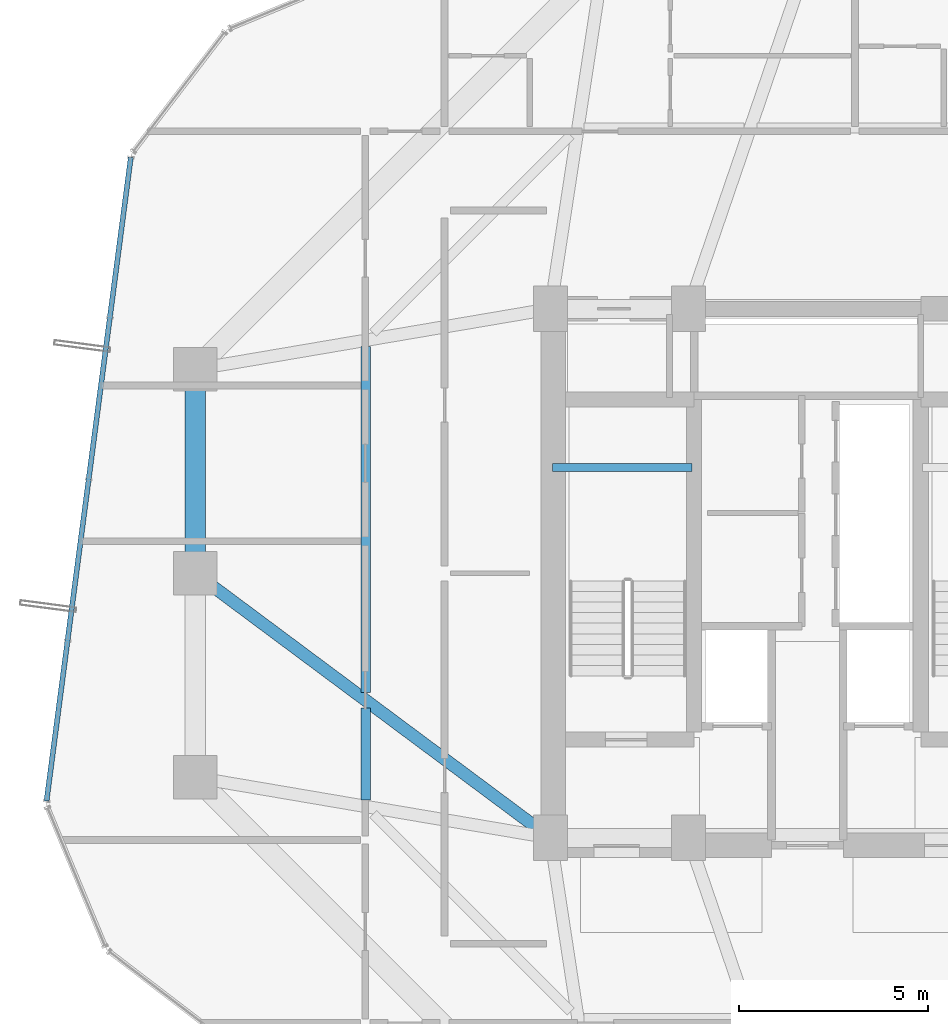
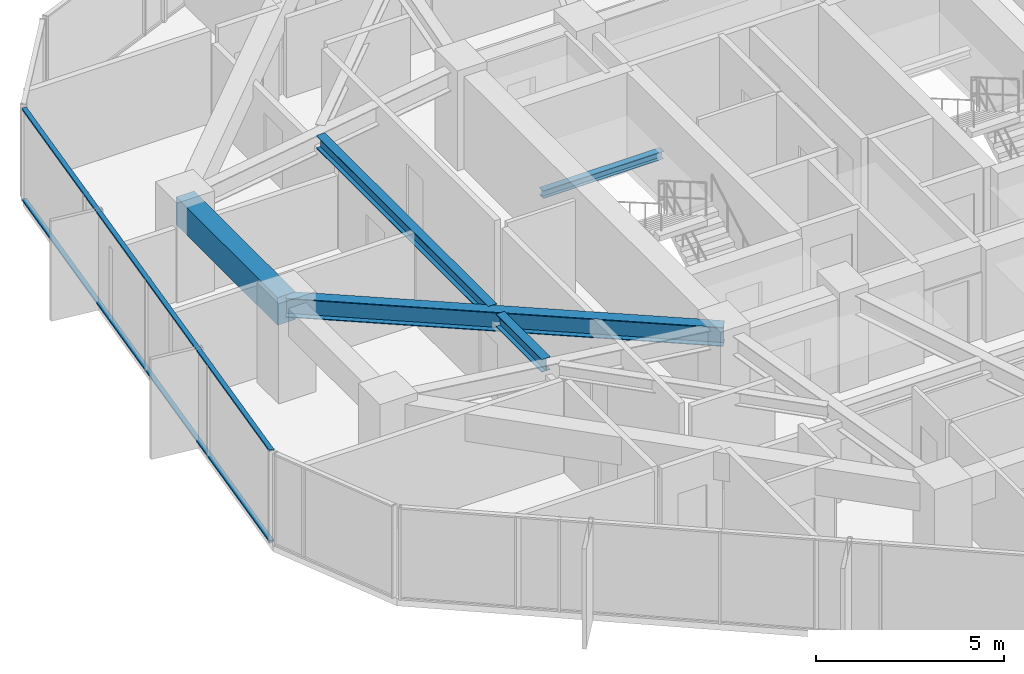
# One storey, part 11 of 30: 5 beams, 2 members, 1 element without a shape of its own.
"""IFC4 building model written with IfcOpenShell, lengths in metres."""

from ifc_helpers import new_model, si_unit, direction, frame, origin, origin_2d, place, context, subcontext, project, spatial, rectangle, hollow_rectangle, i_section, extrude, source, transform, mapped, material, layer, layer_set, material_profile, profile_set, type_object, element, aggregate, save


model = new_model("IFC4")

# Units and contexts
model_context = context("Model", 3, precision=1e-05, world=origin(), true_north=direction((0.0, 1.0)))
body_context = subcontext(model_context, "Body", "Model", "MODEL_VIEW")
ifc_project = project(units=[si_unit("LENGTHUNIT", "METRE"), si_unit("AREAUNIT", "SQUARE_METRE"), si_unit("VOLUMEUNIT", "CUBIC_METRE"), si_unit("PLANEANGLEUNIT", "RADIAN"), si_unit("MASSUNIT", "GRAM", prefix="KILO")], contexts=[model_context])

# Site, building, storey
site_placement = place(None, origin())
site = spatial("IfcSite", under=ifc_project, at=site_placement, CompositionType="ELEMENT")
building_placement = place(site_placement, origin())
building = spatial("IfcBuilding", under=site, at=building_placement, Name="Veraguas Prism Commons", CompositionType="ELEMENT")
storey_placement = place(building_placement, frame((0.0, 0.0, 102.449951171875)))
storey = spatial("IfcBuildingStorey", under=building, at=storey_placement, Name="L28", CompositionType="ELEMENT", Elevation=102.449951171875)

# Beams
ifc_material_1 = material(Name="Steel ASTM A992 Grade 50", Category="steel")
ifc_material_profile_1 = material_profile(ifc_material_1, i_section(OverallWidth=0.260986328125, OverallDepth=0.419921875, WebThickness=0.01171875, FlangeThickness=0.019287109375, at=origin_2d()), Name="W410X114")
ifc_profile_set_1 = profile_set([ifc_material_profile_1], Name="Steel ASTM A992 Grade 50")
beam_type_1 = type_object("IfcBeamType", Name="Lower Floor Joist W410x114", PredefinedType="JOIST", material=ifc_profile_set_1)
beam_1_placement = place(storey_placement, frame((12.31201171875, 30.003662109375, 2.7900390625), z_axis=(0.0, -1.0, 0.0), x_axis=(1.0, 0.0, 0.0)))
element("IfcBeam", 1, at=beam_1_placement, inside=storey, type_object=beam_type_1, Name="Composite Floor Joist L28-JS07", PredefinedType="JOIST", context=body_context, shape_type="SweptSolid", body=[
    extrude(i_section(OverallWidth=0.260986328125, OverallDepth=0.419921875, WebThickness=0.01171875, FlangeThickness=0.019287109375, at=origin_2d()), origin(), (0.0, 0.0, 1.0), 9.16162109375),
])
beam_2_placement = place(storey_placement, frame((12.31201171875, 20.43798828125, 2.7900390625), z_axis=(0.0, -1.0, 0.0), x_axis=(1.0, 0.0, 0.0)))
element("IfcBeam", 2, at=beam_2_placement, inside=storey, type_object=beam_type_1, Name="Composite Floor Joist L28-JS08", PredefinedType="JOIST", context=body_context, shape_type="SweptSolid", body=[
    extrude(i_section(OverallWidth=0.260986328125, OverallDepth=0.419921875, WebThickness=0.01171875, FlangeThickness=0.019287109375, at=origin_2d()), origin(), (0.0, 0.0, 1.0), 2.441650390625),
])
ifc_material_2 = material(Name="Concrete C50/60", Category="concrete")
ifc_material_profile_2 = material_profile(ifc_material_2, rectangle(XDim=0.550048828125, YDim=0.89990234375, at=origin_2d()), Name="RC550X900")
ifc_profile_set_2 = profile_set([ifc_material_profile_2], Name="Concrete C50/60")
beam_type_2 = type_object("IfcBeamType", Name="Perimeter Spandrel Lower RC 550x900", PredefinedType="SPANDREL", material=ifc_profile_set_2)
beam_3_placement = place(storey_placement, frame((7.800048828125, 29.39990234375, 2.550048828125), z_axis=(0.0, -1.0, 0.0), x_axis=(1.0, 0.0, 0.0)))
element("IfcBeam", 3, at=beam_3_placement, inside=storey, type_object=beam_type_2, Name="Perimeter Spandrel Beam L28-SP07", PredefinedType="SPANDREL", context=body_context, shape_type="SweptSolid", body=[
    extrude(rectangle(XDim=0.550048828125, YDim=0.89990234375, at=origin_2d()), origin(), (0.0, 0.0, 1.0), 5.39990234375),
])
ifc_material_profile_3 = material_profile(ifc_material_1, i_section(OverallWidth=0.202880859375, OverallDepth=0.251953125, WebThickness=0.008056640625, FlangeThickness=0.013427734375, at=origin_2d()), Name="W250X58")
ifc_profile_set_3 = profile_set([ifc_material_profile_3], Name="Steel ASTM A992 Grade 50")
beam_type_3 = type_object("IfcBeamType", Name="Structural Opening Lintel W250x58", PredefinedType="LINTEL", material=ifc_profile_set_3)
beam_4_placement = place(storey_placement, frame((17.25, 26.800048828125, 1.299072265625), z_axis=(1.0, 0.0, 0.0), x_axis=(0.0, 1.0, 0.0)))
element("IfcBeam", 4, at=beam_4_placement, inside=storey, type_object=beam_type_3, Name="Stair ST-01 Half-Landing Support Beam L28-1", PredefinedType="LINTEL", context=body_context, shape_type="SweptSolid", body=[
    extrude(i_section(OverallWidth=0.202880859375, OverallDepth=0.251953125, WebThickness=0.008056640625, FlangeThickness=0.013427734375, at=origin_2d()), origin(), (0.0, 0.0, 1.0), 3.699951171875),
])
ifc_material_profile_4 = material_profile(ifc_material_1, i_section(OverallWidth=0.327880859375, OverallDepth=0.6220703125, WebThickness=0.015380859375, FlangeThickness=0.0244140625, at=origin_2d()), Name="W610X195")
ifc_profile_set_4 = profile_set([ifc_material_profile_4], Name="Steel ASTM A992 Grade 50")
beam_type_4 = type_object("IfcBeamType", Name="Zone 2 Radial Girder W610x195", PredefinedType="BEAM", material=ifc_profile_set_4)
beam_5_placement = place(storey_placement, frame((7.800048828125, 24.0, 2.68896484375), z_axis=(0.802040137921, -0.597270137512, 0.0), x_axis=(0.597270137512, 0.802040137921, 0.0)))
element("IfcBeam", 5, at=beam_5_placement, inside=storey, type_object=beam_type_4, Name="Radial Floor Girder L28-RD08", PredefinedType="BEAM", context=body_context, shape_type="SweptSolid", body=[
    extrude(i_section(OverallWidth=0.327880859375, OverallDepth=0.6220703125, WebThickness=0.015380859375, FlangeThickness=0.0244140625, at=origin_2d()), origin(), (0.0, 0.0, 1.0), 11.719970703125),
])

# Curtain wall, members
ifc_material_3 = material(Name="Anodised aluminium EN AW-6063 T6", Category="aluminium")
ifc_layer = layer(ifc_material_3, 0.169921875, Name="Unitised Flush Curtain Wall Zone 2", Category="aluminium")
ifc_layer_set = layer_set([ifc_layer], Name="Anodised aluminium EN AW-6063 T6")
curtain_wall_type = type_object("IfcCurtainWallType", Name="Unitised Flush Curtain Wall Zone 2", PredefinedType="NOTDEFINED", material=ifc_layer_set)
curtain_wall_placement = place(storey_placement, origin())
curtain_wall = element("IfcCurtainWall", 6, at=curtain_wall_placement, inside=storey, type_object=curtain_wall_type, Name="Tower Facade Curtain Wall L28-F3", PredefinedType="NOTDEFINED")
ifc_material_profile_5 = material_profile(ifc_material_3, hollow_rectangle(XDim=0.054931640625, YDim=0.135009765625, WallThickness=0.0029296875, at=origin_2d()), Name="AL55X135X3")
ifc_profile_set_5 = profile_set([ifc_material_profile_5], Name="Anodised aluminium EN AW-6063 T6")
member_type = type_object("IfcMemberType", Name="Curtain Wall Transom Standard AL 55x135x3", PredefinedType="USERDEFINED", material=ifc_profile_set_5)
shared_shape = source(origin(), body_context, "Body", "SweptSolid", [
    extrude(hollow_rectangle(XDim=0.054931640625, YDim=0.135009765625, WallThickness=0.0029296875, at=origin_2d()), origin(), (0.0, 0.0, 1.0), 17.17431640625),
])
member_1_placement = place(storey_placement, frame((6.0947265625, 35.005126953125, 0.027587890625), z_axis=(-0.129828990896, -0.991536400302, 0.0), x_axis=(0.0, 0.0, 1.0)))
member_1 = element("IfcMember", 7, at=member_1_placement, type_object=member_type, Name="CW-Z2 Transom 1", ObjectType="TRANSOM", PredefinedType="USERDEFINED", context=body_context, shape_type="MappedRepresentation", body=[
    mapped(shared_shape, transform((0.0, 0.0, 0.0), scale=1.0)),
])
member_2_placement = place(storey_placement, frame((6.0947265625, 35.005126953125, 2.97265625), z_axis=(-0.129828990896, -0.991536400302, 0.0), x_axis=(0.0, 0.0, 1.0)))
member_2 = element("IfcMember", 8, at=member_2_placement, type_object=member_type, Name="CW-Z2 Transom 2", ObjectType="TRANSOM", PredefinedType="USERDEFINED", context=body_context, shape_type="MappedRepresentation", body=[
    mapped(shared_shape, transform((0.0, 0.0, 0.0), scale=1.0)),
])
aggregate(curtain_wall, [member_1, member_2])

save(model, "model.ifc")
